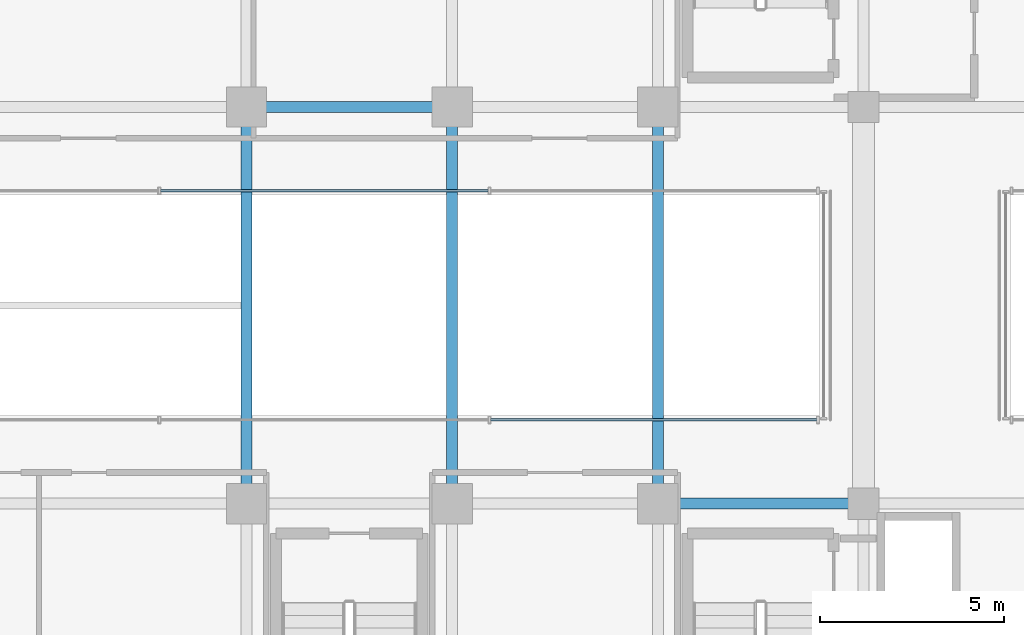
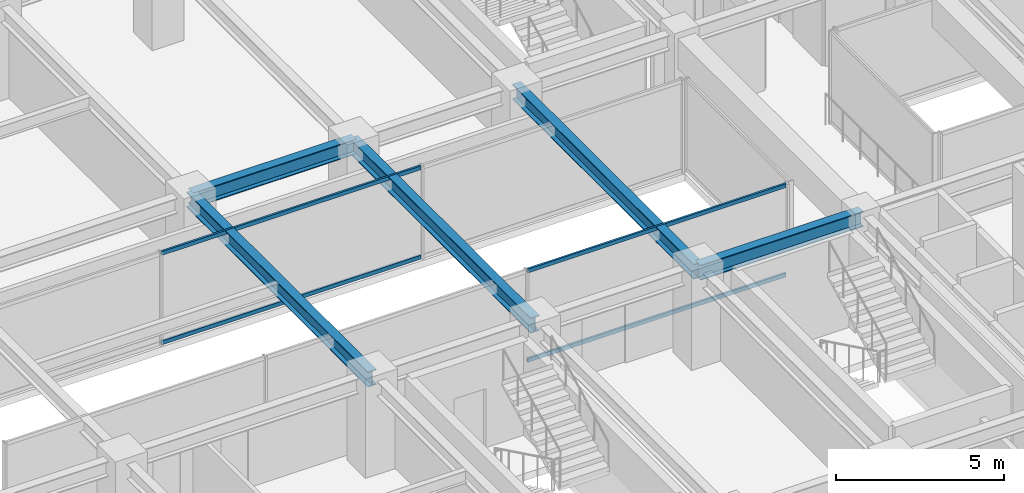
# One storey, part 10 of 35: 5 beams, 4 members, 2 elements without a shape of their own.
"""IFC4 building model written with IfcOpenShell, lengths in metres."""

from ifc_helpers import new_model, si_unit, direction, frame, origin, origin_2d, place, context, subcontext, project, spatial, hollow_rectangle, i_section, extrude, source, transform, mapped, material, material_profile, profile_set, type_object, element, aggregate, save


model = new_model("IFC4")

# Units and contexts
model_context = context("Model", 3, precision=1e-05, world=origin(), true_north=direction((0.0, 1.0)))
body_context = subcontext(model_context, "Body", "Model", "MODEL_VIEW")
ifc_project = project(units=[si_unit("LENGTHUNIT", "METRE"), si_unit("AREAUNIT", "SQUARE_METRE"), si_unit("VOLUMEUNIT", "CUBIC_METRE"), si_unit("PLANEANGLEUNIT", "RADIAN"), si_unit("MASSUNIT", "GRAM", prefix="KILO")], contexts=[model_context])

# Site, building, storey
site_placement = place(None, origin())
site = spatial("IfcSite", under=ifc_project, at=site_placement, CompositionType="ELEMENT")
building_placement = place(site_placement, origin())
building = spatial("IfcBuilding", under=site, at=building_placement, Name="Nahalor Promenade Grand Hotel", CompositionType="ELEMENT")
storey_placement = place(building_placement, frame((0.0, 0.0, 185.5)))
storey = spatial("IfcBuildingStorey", under=building, at=storey_placement, Name="L47", CompositionType="ELEMENT", Elevation=185.5)

# Beams
ifc_material_1 = material(Name="Steel S355JR", Category="steel")
ifc_material_profile_1 = material_profile(ifc_material_1, i_section(OverallWidth=0.3, OverallDepth=0.55, WebThickness=0.015, FlangeThickness=0.029, at=origin_2d()), Name="HEB 550")
ifc_profile_set_1 = profile_set([ifc_material_profile_1], Name="Steel S355JR")
beam_type = type_object("IfcBeamType", Name="Beam-Girder-HEB550", PredefinedType="BEAM", material=ifc_profile_set_1)
shared_shape_1 = source(origin(), body_context, "Body", "SweptSolid", [
    extrude(i_section(OverallWidth=0.3, OverallDepth=0.55, WebThickness=0.015, FlangeThickness=0.029, at=origin_2d()), origin(), (0.0, 0.0, 1.0), 5.599853515625),
])
for number, where, z_axis, x_axis, name in (
    (1, (2.800048828125, -5.39990234375, 3.114990234375), (1.0, 0.0, 0.0), (0.0, 1.0, 0.0), "BM-L47-GX-1-4"),
    (2, (-8.39990234375, 5.39990234375, 3.114990234375), (1.0, 0.0, 0.0), (0.0, 1.0, 0.0), "BM-L47-GX-2-2"),
):
    element("IfcBeam", number, at=place(storey_placement, frame(where, z_axis=z_axis, x_axis=x_axis)), inside=storey, type_object=beam_type, Name=name, PredefinedType="BEAM", context=body_context, shape_type="MappedRepresentation", body=[
        mapped(shared_shape_1, transform((0.0, 0.0, 0.0), scale=1.0)),
    ])
shared_shape_2 = source(origin(), body_context, "Body", "SweptSolid", [
    extrude(i_section(OverallWidth=0.3, OverallDepth=0.55, WebThickness=0.015, FlangeThickness=0.029, at=origin_2d()), origin(), (0.0, 0.0, 1.0), 10.7998046875),
])
for number, where, z_axis, x_axis, name in (
    (3, (-8.39990234375, -5.39990234375, 3.114990234375), (0.0, 1.0, 0.0), (-1.0, 0.0, 0.0), "BM-L47-GY-1-2"),
    (4, (-2.800048828125, -5.39990234375, 3.114990234375), (0.0, 1.0, 0.0), (-1.0, 0.0, 0.0), "BM-L47-GY-2-2"),
    (5, (2.800048828125, -5.39990234375, 3.114990234375), (0.0, 1.0, 0.0), (-1.0, 0.0, 0.0), "BM-L47-GY-3-2"),
):
    element("IfcBeam", number, at=place(storey_placement, frame(where, z_axis=z_axis, x_axis=x_axis)), inside=storey, type_object=beam_type, Name=name, PredefinedType="BEAM", context=body_context, shape_type="MappedRepresentation", body=[
        mapped(shared_shape_2, transform((0.0, 0.0, 0.0), scale=1.0)),
    ])

# Curtain wall, members
ifc_material_2 = material(Name="Anodised Bronze Aluminium EN AW-6063 T6", Category="aluminium")
curtain_wall_type = type_object("IfcCurtainWallType", Name="CW3 Elliptical-Void Collar Unitised Curtain Wall", PredefinedType="USERDEFINED", material=ifc_material_2)
curtain_wall_1_placement = place(storey_placement, origin())
curtain_wall_1 = element("IfcCurtainWall", 6, at=curtain_wall_1_placement, inside=storey, type_object=curtain_wall_type, Name="L47 Curtain Wall CW-L47-VOID-WS1", ObjectType="UNITISED_CURTAIN_WALL", PredefinedType="USERDEFINED")
ifc_material_profile_2 = material_profile(ifc_material_2, hollow_rectangle(XDim=0.07, YDim=0.14, WallThickness=0.004, at=origin_2d()), Name="CWT 70x140x4")
ifc_profile_set_2 = profile_set([ifc_material_profile_2], Name="Anodised Bronze Aluminium EN AW-6063 T6")
member_type = type_object("IfcMemberType", Name="CWT3 Void Collar Transom 70x140", PredefinedType="USERDEFINED", material=ifc_profile_set_2)
shared_shape_3 = source(origin(), body_context, "Body", "SweptSolid", [
    extrude(hollow_rectangle(XDim=0.07, YDim=0.14, WallThickness=0.004, at=origin_2d()), origin(), (0.0, 0.0, 1.0), 8.881591796875),
])
member_1_placement = place(storey_placement, frame((-1.751708984375, -3.118896484375, 0.070068359375), z_axis=(1.0, 0.0, 0.0), x_axis=(0.0, 1.0, 0.0)))
member_1 = element("IfcMember", 7, at=member_1_placement, type_object=member_type, Name="CW-L47-VOID-WS1 Transom 2-0", ObjectType="TRANSOM", PredefinedType="USERDEFINED", context=body_context, shape_type="MappedRepresentation", body=[
    mapped(shared_shape_3, transform((0.0, 0.0, 0.0), scale=1.0)),
])
member_2_placement = place(storey_placement, frame((-1.751708984375, -3.118896484375, 3.320068359375), z_axis=(1.0, 0.0, 0.0), x_axis=(0.0, 1.0, 0.0)))
member_2 = element("IfcMember", 8, at=member_2_placement, type_object=member_type, Name="CW-L47-VOID-WS1 Transom 2-1", ObjectType="TRANSOM", PredefinedType="USERDEFINED", context=body_context, shape_type="MappedRepresentation", body=[
    mapped(shared_shape_3, transform((0.0, 0.0, 0.0), scale=1.0)),
])
aggregate(curtain_wall_1, [member_1, member_2])

curtain_wall_2_placement = place(storey_placement, origin())
curtain_wall_2 = element("IfcCurtainWall", 9, at=curtain_wall_2_placement, inside=storey, type_object=curtain_wall_type, Name="L47 Curtain Wall CW-L47-VOID-WN1", ObjectType="UNITISED_CURTAIN_WALL", PredefinedType="USERDEFINED")
shared_shape_4 = source(origin(), body_context, "Body", "SweptSolid", [
    extrude(hollow_rectangle(XDim=0.07, YDim=0.14, WallThickness=0.004, at=origin_2d()), origin(), (0.0, 0.0, 1.0), 8.91650390625),
])
member_3_placement = place(storey_placement, frame((-10.73828125, 3.118896484375, 0.070068359375), z_axis=(1.0, 0.0, 0.0), x_axis=(0.0, 1.0, 0.0)))
member_3 = element("IfcMember", 10, at=member_3_placement, type_object=member_type, Name="CW-L47-VOID-WN1 Transom 1-0", ObjectType="TRANSOM", PredefinedType="USERDEFINED", context=body_context, shape_type="MappedRepresentation", body=[
    mapped(shared_shape_4, transform((0.0, 0.0, 0.0), scale=1.0)),
])
member_4_placement = place(storey_placement, frame((-10.73828125, 3.118896484375, 3.320068359375), z_axis=(1.0, 0.0, 0.0), x_axis=(0.0, 1.0, 0.0)))
member_4 = element("IfcMember", 11, at=member_4_placement, type_object=member_type, Name="CW-L47-VOID-WN1 Transom 1-1", ObjectType="TRANSOM", PredefinedType="USERDEFINED", context=body_context, shape_type="MappedRepresentation", body=[
    mapped(shared_shape_4, transform((0.0, 0.0, 0.0), scale=1.0)),
])
aggregate(curtain_wall_2, [member_3, member_4])

save(model, "model.ifc")
